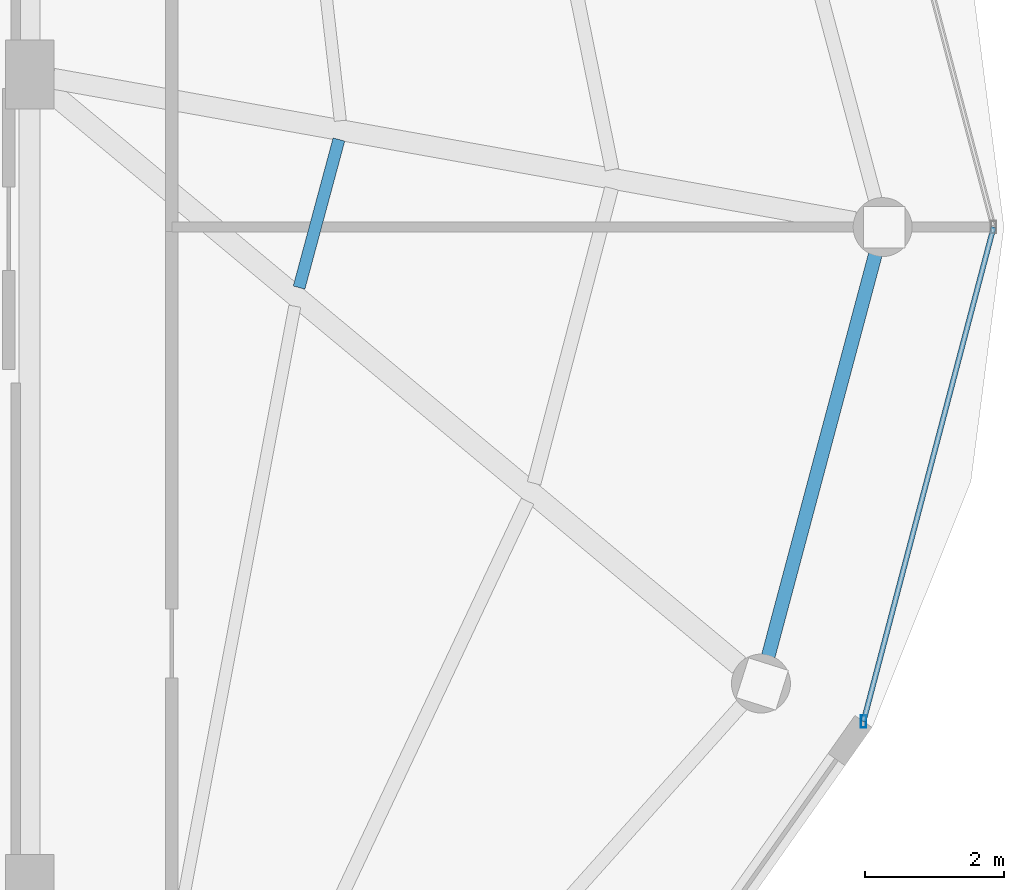
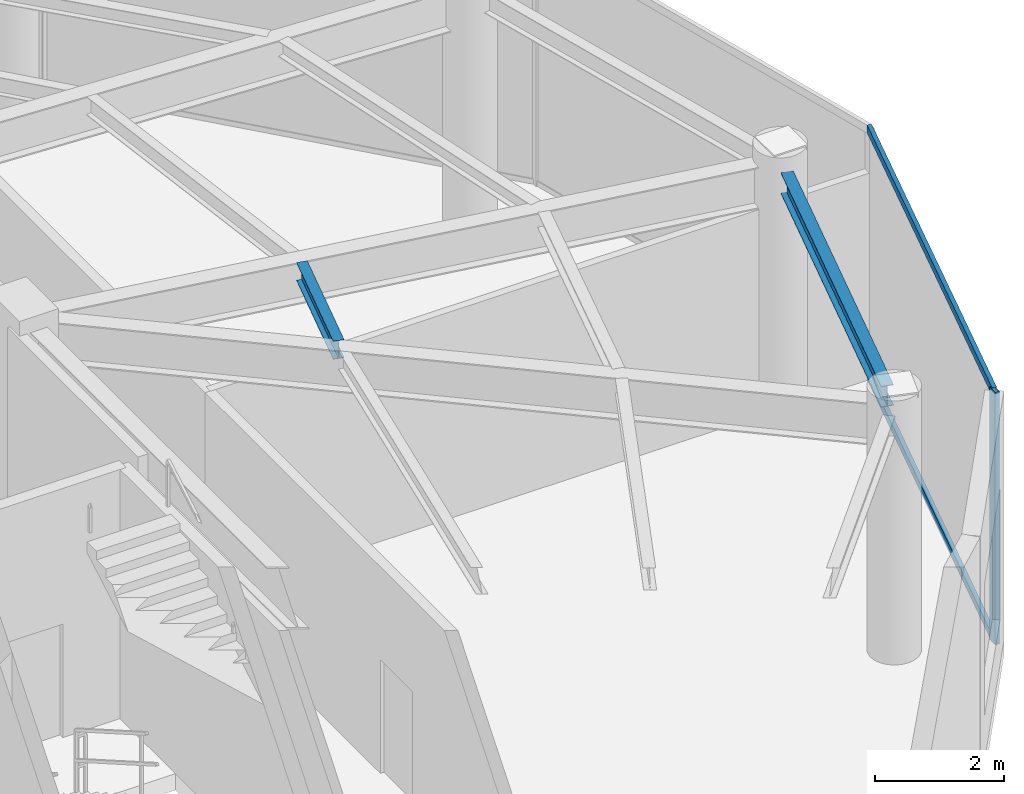
# One storey, part 13 of 24: 3 members, 2 beams, 1 element without a shape of its own.
"""IFC4 building model written with IfcOpenShell, lengths in metres."""

from ifc_helpers import new_model, si_unit, direction, frame, origin, origin_2d, place, context, subcontext, project, spatial, hollow_rectangle, i_section, extrude, material, material_profile, profile_set, type_object, element, aggregate, save


model = new_model("IFC4")

# Units and contexts
model_context = context("Model", 3, precision=1e-05, world=origin(), true_north=direction((0.0, 1.0)))
body_context = subcontext(model_context, "Body", "Model", "MODEL_VIEW")
ifc_project = project(units=[si_unit("LENGTHUNIT", "METRE"), si_unit("AREAUNIT", "SQUARE_METRE"), si_unit("VOLUMEUNIT", "CUBIC_METRE"), si_unit("PLANEANGLEUNIT", "RADIAN"), si_unit("MASSUNIT", "GRAM", prefix="KILO")], contexts=[model_context])

# Site, building, storey
site_placement = place(None, origin())
site = spatial("IfcSite", under=ifc_project, at=site_placement, CompositionType="ELEMENT")
building_placement = place(site_placement, origin())
building = spatial("IfcBuilding", under=site, at=building_placement, Name="Vorneva Point Tower", CompositionType="ELEMENT")
storey_placement = place(building_placement, frame((0.0, 0.0, 290.39990234375)))
storey = spatial("IfcBuildingStorey", under=building, at=storey_placement, Name="L78", CompositionType="ELEMENT", Elevation=290.39990234375)

# Beams
ifc_material_1 = material(Name="Steel S355", Category="steel")
ifc_material_profile_1 = material_profile(ifc_material_1, i_section(OverallWidth=0.174072265625, OverallDepth=0.345947265625, WebThickness=0.006103515625, FlangeThickness=0.009033203125, at=origin_2d()), Name="35B1")
ifc_profile_set_1 = profile_set([ifc_material_profile_1], Name="Steel S355")
beam_type_1 = type_object("IfcBeamType", Name="BM-SEC-35B1", PredefinedType="BEAM", material=ifc_profile_set_1)
beam_1_placement = place(storey_placement, frame((52.63525390625, 25.12744140625, 4.547119140625), z_axis=(0.259902201987, 0.96563494417, 0.0), x_axis=(-0.96563494417, 0.259902201987, 0.0)))
element("IfcBeam", 1, at=beam_1_placement, inside=storey, type_object=beam_type_1, Name="L78 Secondary Floor Beam 2.16", PredefinedType="BEAM", context=body_context, shape_type="SweptSolid", body=[
    extrude(i_section(OverallWidth=0.174072265625, OverallDepth=0.345947265625, WebThickness=0.006103515625, FlangeThickness=0.009033203125, at=origin_2d()), origin(), (0.0, 0.0, 1.0), 2.211181640625),
])
ifc_material_profile_2 = material_profile(ifc_material_1, i_section(OverallWidth=0.198974609375, OverallDepth=0.39599609375, WebThickness=0.007080078125, FlangeThickness=0.010986328125, at=origin_2d()), Name="40B1")
ifc_profile_set_2 = profile_set([ifc_material_profile_2], Name="Steel S355")
beam_type_2 = type_object("IfcBeamType", Name="BM-SPN-40B1", PredefinedType="SPANDREL", material=ifc_profile_set_2)
beam_2_placement = place(storey_placement, frame((59.40087890625, 19.81396484375, 4.522216796875), z_axis=(0.257586570866, 0.966255224312, 0.0), x_axis=(-0.966255224312, 0.257586570866, 0.0)))
element("IfcBeam", 2, at=beam_2_placement, inside=storey, type_object=beam_type_2, Name="L78 Perimeter Spandrel Ring Beam 16", PredefinedType="SPANDREL", context=body_context, shape_type="SweptSolid", body=[
    extrude(i_section(OverallWidth=0.198974609375, OverallDepth=0.39599609375, WebThickness=0.007080078125, FlangeThickness=0.010986328125, at=origin_2d()), origin(), (0.0, 0.0, 1.0), 5.991943359375),
])

# Curtain wall, members
ifc_material_2 = material(Name="Pale anodised aluminium", Category="aluminium")
curtain_wall_type = type_object("IfcCurtainWallType", Name="CW-OBS-SYS", PredefinedType="NOTDEFINED", material=ifc_material_2)
curtain_wall_placement = place(storey_placement, origin())
curtain_wall = element("IfcCurtainWall", 3, at=curtain_wall_placement, inside=storey, type_object=curtain_wall_type, Name="L78 Unitised Curtain Wall CW-L78-R01", PredefinedType="NOTDEFINED")
ifc_material_profile_3 = material_profile(ifc_material_2, hollow_rectangle(XDim=0.074951171875, YDim=0.179931640625, WallThickness=0.00390625, at=origin_2d()), Name="AL-MUL 180x75x4")
ifc_profile_set_3 = profile_set([ifc_material_profile_3], Name="Pale anodised aluminium")
member_type_1 = type_object("IfcMemberType", Name="CW-MUL-180", PredefinedType="MULLION", material=ifc_profile_set_3)
member_1_placement = place(storey_placement, frame((60.773681640625, 18.87060546875, -0.039794921875), z_axis=(0.0, 0.0, 1.0), x_axis=(1.0, 0.0, 0.0)))
member_1 = element("IfcMember", 4, at=member_1_placement, type_object=member_type_1, Name="CW-L78-R01 Mullion 01", PredefinedType="MULLION", context=body_context, shape_type="SweptSolid", body=[
    extrude(hollow_rectangle(XDim=0.074951171875, YDim=0.179931640625, WallThickness=0.00390625, at=origin_2d()), origin(), (0.0, 0.0, 1.0), 4.789794921875),
])
ifc_material_profile_4 = material_profile(ifc_material_2, hollow_rectangle(XDim=0.074951171875, YDim=0.14990234375, WallThickness=0.00390625, at=origin_2d()), Name="AL-TRN 150x75x4")
ifc_profile_set_4 = profile_set([ifc_material_profile_4], Name="Pale anodised aluminium")
member_type_2 = type_object("IfcMemberType", Name="CW-TRN-150", PredefinedType="USERDEFINED", material=ifc_profile_set_4)
member_2_placement = place(storey_placement, frame((60.773681640625, 18.87060546875, 0.02001953125), z_axis=(0.254501449741, 0.967072392368, 0.0), x_axis=(-0.967072392368, 0.254501449741, 0.0)))
member_2 = element("IfcMember", 5, at=member_2_placement, type_object=member_type_2, Name="CW-L78-R01 Transom 01.1", ObjectType="TRANSOM", PredefinedType="USERDEFINED", context=body_context, shape_type="SweptSolid", body=[
    extrude(hollow_rectangle(XDim=0.074951171875, YDim=0.14990234375, WallThickness=0.00390625, at=origin_2d()), origin(), (0.0, 0.0, 1.0), 7.3720703125),
])
member_3_placement = place(storey_placement, frame((60.773681640625, 18.87060546875, 4.7001953125), z_axis=(0.254501449741, 0.967072392368, 0.0), x_axis=(-0.967072392368, 0.254501449741, 0.0)))
member_3 = element("IfcMember", 6, at=member_3_placement, type_object=member_type_2, Name="CW-L78-R01 Transom 01.2", ObjectType="TRANSOM", PredefinedType="USERDEFINED", context=body_context, shape_type="SweptSolid", body=[
    extrude(hollow_rectangle(XDim=0.074951171875, YDim=0.14990234375, WallThickness=0.00390625, at=origin_2d()), origin(), (0.0, 0.0, 1.0), 7.3720703125),
])
aggregate(curtain_wall, [member_1, member_2, member_3])

save(model, "model.ifc")
